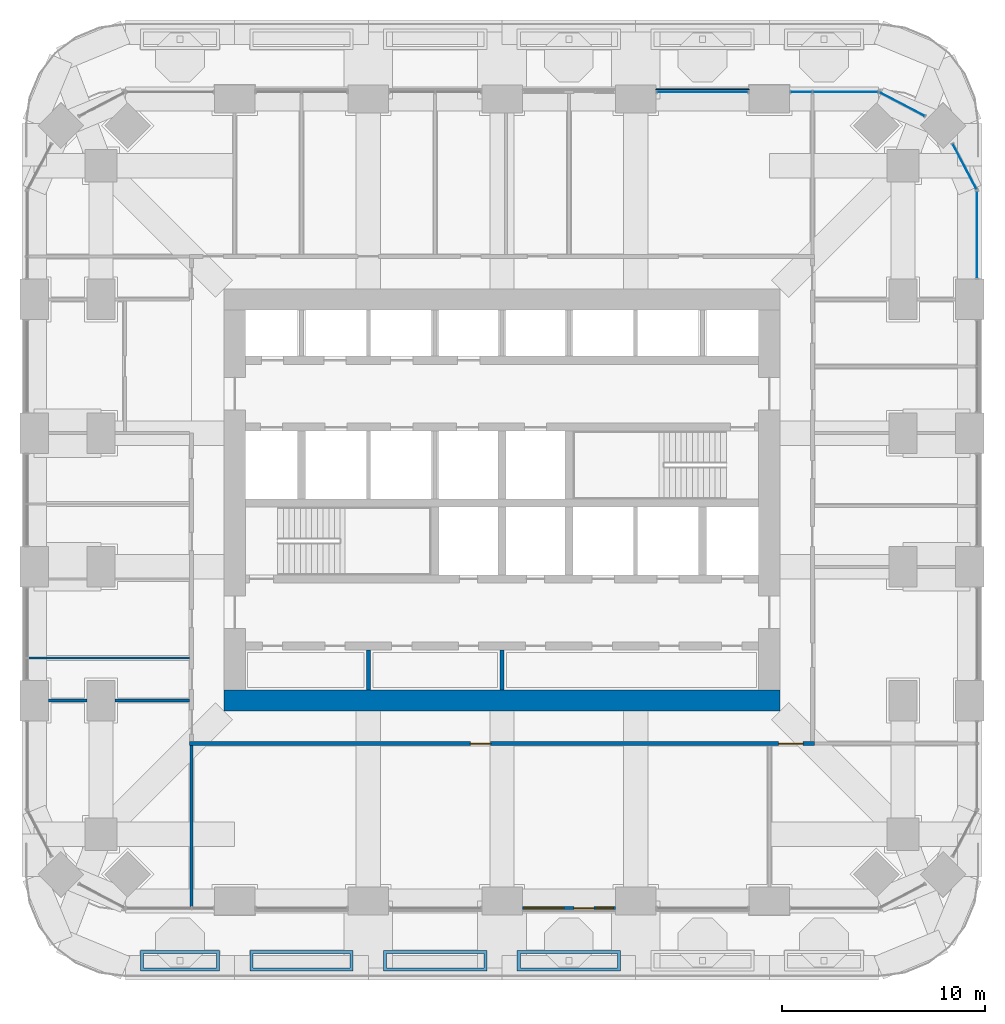
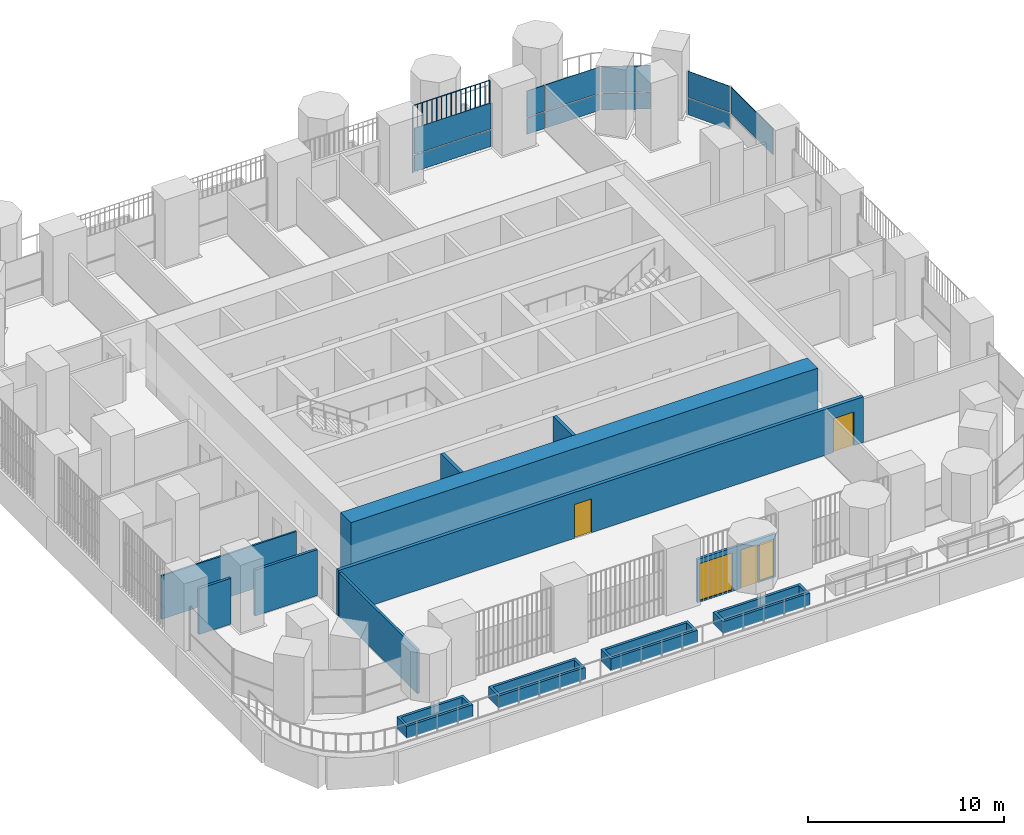
# One storey, part 13 of 22: 13 walls, 12 plates, 3 doors, 2 windows, 5 openings, 5 elements without a shape of their own.
"""IFC4 building model written with IfcOpenShell, lengths in metres."""

import ifcopenshell
import ifcopenshell.guid

model = None  # the IFC model being written
_history = None  # IfcOwnerHistory: only IFC2X3 demands one
_inside = {}  # id of a spatial element -> (the spatial element, [elements in it])
_under = {}  # id of a project, library or spatial element -> (it, [spatial elements below it])
_declared = {}  # id of a project -> (the project, [libraries it declares])
_typed = {}  # id of a type object -> (the type object, [elements of that type])
_made_of = {}  # id of a material, layer set ... -> (it, [elements and type objects made of it])


def new_model(schema):
    """Start an empty IFC model of exactly this schema.

    Asked for "IFC4X3", IfcOpenShell would pick the latest addendum, in which some entities
    have other attributes; the version numbers below select the first issue.
    IFC2X3 requires an IfcOwnerHistory on every rooted entity: one is made here for all.
    """
    global model, _history
    if schema == "IFC4X3":
        model = ifcopenshell.file(schema_version=(4, 3, 0, 0))
    else:
        model = ifcopenshell.file(schema=schema)
    _inside.clear()
    _under.clear()
    _declared.clear()
    _typed.clear()
    _made_of.clear()
    _history = None
    if model.schema == "IFC2X3":
        org = make("IfcOrganization", Name="unknown")
        user = make(
            "IfcPersonAndOrganization",
            ThePerson=make("IfcPerson", FamilyName="unknown"),
            TheOrganization=org,
        )
        app = make(
            "IfcApplication",
            ApplicationDeveloper=org,
            Version="unknown",
            ApplicationFullName="unknown",
            ApplicationIdentifier="unknown",
        )
        _history = make(
            "IfcOwnerHistory",
            OwningUser=user,
            OwningApplication=app,
            ChangeAction="ADDED",
            CreationDate=0,
        )
    return model


def make(cls, **values):
    """One entity of the class cls with the attributes given. An attribute that is None is left unset."""
    return model.create_entity(
        cls, **{name: value for name, value in values.items() if value is not None}
    )


def rooted(cls, **values):
    """An entity with a GlobalId (a new one), such as an element, a storey or a relation."""
    return make(cls, GlobalId=ifcopenshell.guid.new(), OwnerHistory=_history, **values)


def si_unit(unit_type, name, prefix=None):
    """IfcSIUnit, for example si_unit("LENGTHUNIT", "METRE", prefix="MILLI")."""
    return make("IfcSIUnit", UnitType=unit_type, Prefix=prefix, Name=name)


def assignment(units):
    """IfcUnitAssignment: the units of a project."""
    return None if units is None else make("IfcUnitAssignment", Units=units)


def point(xyz):
    """IfcCartesianPoint."""
    return None if xyz is None else make("IfcCartesianPoint", Coordinates=xyz)


def direction(xyz):
    """IfcDirection."""
    return None if xyz is None else make("IfcDirection", DirectionRatios=xyz)


def frame(location, z_axis=None, x_axis=None):
    """IfcAxis2Placement3D, a coordinate frame: its origin and axes. An axis left out is left unset."""
    return make(
        "IfcAxis2Placement3D",
        Location=point(location),
        Axis=direction(z_axis),
        RefDirection=direction(x_axis),
    )


def frame_2d(location, x_axis=None):
    """IfcAxis2Placement2D, a coordinate frame in the plane: its origin and x axis."""
    return make(
        "IfcAxis2Placement2D", Location=point(location), RefDirection=direction(x_axis)
    )


def origin():
    """The frame at (0, 0, 0) with its axes left unset."""
    return frame((0.0, 0.0, 0.0))


def origin_2d():
    """The frame at (0, 0) in the plane with its x axis left unset."""
    return frame_2d((0.0, 0.0))


def place(relative_to, where):
    """IfcLocalPlacement: puts the frame where relative to a parent placement (None: the world)."""
    return make(
        "IfcLocalPlacement", PlacementRelTo=relative_to, RelativePlacement=where
    )


def context(
    kind, dimensions, precision=None, world=None, true_north=None, identifier=None
):
    """IfcGeometricRepresentationContext, for example the 3D "Model" context."""
    return make(
        "IfcGeometricRepresentationContext",
        ContextIdentifier=identifier,
        ContextType=kind,
        CoordinateSpaceDimension=dimensions,
        Precision=precision,
        WorldCoordinateSystem=world,
        TrueNorth=true_north,
    )


def subcontext(parent, identifier, kind, view, scale=None):
    """IfcGeometricRepresentationSubContext, for example "Body" below "Model"."""
    return make(
        "IfcGeometricRepresentationSubContext",
        ContextIdentifier=identifier,
        ContextType=kind,
        ParentContext=parent,
        TargetScale=scale,
        TargetView=view,
    )


def project(units=None, contexts=None):
    """IfcProject with its units and contexts."""
    return rooted(
        "IfcProject",
        Name="project",
        RepresentationContexts=contexts,
        UnitsInContext=assignment(units),
    )


def spatial(cls, under=None, at=None, **own):
    """A site, building, storey or space (cls), placed at a placement, below another one or the project."""
    s = rooted(cls, ObjectPlacement=at, **own)
    if under is not None:
        _under.setdefault(under.id(), (under, []))[1].append(s)
    return s


def polyline(points):
    """IfcPolyline through the points."""
    return make("IfcPolyline", Points=[point(p) for p in points])


def profile(cls, at=None, kind="AREA", **sizes):
    """A parametric profile (cls). Its sizes go by their IFC names, for example OverallWidth=200.0."""
    return make(cls, ProfileType=kind, Position=at, **sizes)


def rectangle(**sizes):
    """IfcRectangleProfileDef."""
    return profile("IfcRectangleProfileDef", **sizes)


def outline(outer, holes=None, kind="AREA"):
    """IfcArbitraryClosedProfileDef: a profile drawn as a closed curve; with holes, ...WithVoids."""
    if holes is None:
        return make("IfcArbitraryClosedProfileDef", ProfileType=kind, OuterCurve=outer)
    return make(
        "IfcArbitraryProfileDefWithVoids",
        ProfileType=kind,
        OuterCurve=outer,
        InnerCurves=holes,
    )


def extrude(swept, where, along, depth):
    """IfcExtrudedAreaSolid: the profile swept, set in the frame where, extruded along a direction by depth."""
    return make(
        "IfcExtrudedAreaSolid",
        SweptArea=swept,
        Position=where,
        ExtrudedDirection=direction(along),
        Depth=depth,
    )


def shape(context_of_items, identifier, shape_type, items):
    """IfcShapeRepresentation: the items that make up one representation, for example the "Body"."""
    return make(
        "IfcShapeRepresentation",
        ContextOfItems=context_of_items,
        RepresentationIdentifier=identifier,
        RepresentationType=shape_type,
        Items=items,
    )


def material(Name=None, Category=None):
    """IfcMaterial."""
    return make("IfcMaterial", Name=Name, Category=Category)


def layer(
    of_material, thickness, ventilated=None, Name=None, Category=None, Priority=None
):
    """IfcMaterialLayer: one layer of a wall or slab, of a material (None: an air gap)."""
    return make(
        "IfcMaterialLayer",
        Material=of_material,
        LayerThickness=thickness,
        IsVentilated=ventilated,
        Name=Name,
        Category=Category,
        Priority=Priority,
    )


def layer_set(layers, Name=None):
    """IfcMaterialLayerSet."""
    return make("IfcMaterialLayerSet", MaterialLayers=layers, LayerSetName=Name)


def made_of(thing, what):
    """Note that an element or type object is made of a material, layer set ...; save() writes the relation."""
    if what is not None:
        _made_of.setdefault(what.id(), (what, []))[1].append(thing)
    return thing


def type_object(cls, material=None, **own):
    """A type object (cls), such as IfcWallType, which elements share."""
    return made_of(rooted(cls, **own), material)


def element(
    cls,
    number,
    at=None,
    inside=None,
    cuts=None,
    type_object=None,
    material=None,
    context=None,
    identifier="Body",
    shape_type=None,
    held_by="IfcProductDefinitionShape",
    body=None,
    shapes=None,
    **own,
):
    """One element of the class cls, such as IfcWall. Its Tag is "e" and its number.

    at: its placement. inside: the storey or other place that contains it. cuts: it is an
    opening in that element (IfcRelVoidsElement). A single representation is given by context,
    identifier, shape_type and body (its items); several are given by shapes. held_by: the class
    of the entity that holds the representations. save() writes the other relations.
    """
    e = rooted(cls, Tag="e%d" % number, ObjectPlacement=at, **own)
    if body is not None:
        shapes = [shape(context, identifier, shape_type, body)]
    if shapes is not None:
        e.Representation = make(held_by, Representations=shapes)
    if inside is not None:
        _inside.setdefault(inside.id(), (inside, []))[1].append(e)
    if cuts is not None:
        rooted(
            "IfcRelVoidsElement", RelatingBuildingElement=cuts, RelatedOpeningElement=e
        )
    if type_object is not None:
        _typed.setdefault(type_object.id(), (type_object, []))[1].append(e)
    return made_of(e, material)


def fill(opening, filler):
    """IfcRelFillsElement: the door or window that sits in an opening."""
    return rooted(
        "IfcRelFillsElement",
        RelatingOpeningElement=opening,
        RelatedBuildingElement=filler,
    )


def aggregate(whole, parts):
    """IfcRelAggregates: a whole, such as a stair, and the parts it consists of."""
    return rooted("IfcRelAggregates", RelatingObject=whole, RelatedObjects=parts)


def save(model, path):
    """Write the relations noted so far, then the file.

    IfcRelAggregates (storeys below a building ...), IfcRelContainedInSpatialStructure (elements
    in a storey), IfcRelDefinesByType, IfcRelAssociatesMaterial and IfcRelDeclares: one each for
    every whole, place, type object, material and project.
    """
    for whole, parts in _under.values():
        aggregate(whole, parts)
    for where, things in _inside.values():
        rooted(
            "IfcRelContainedInSpatialStructure",
            RelatedElements=things,
            RelatingStructure=where,
        )
    for kind, things in _typed.values():
        rooted("IfcRelDefinesByType", RelatedObjects=things, RelatingType=kind)
    for what, things in _made_of.values():
        rooted("IfcRelAssociatesMaterial", RelatedObjects=things, RelatingMaterial=what)
    for by, libraries in _declared.values():
        rooted("IfcRelDeclares", RelatingContext=by, RelatedDefinitions=libraries)
    model.write(path)


model = new_model("IFC4")

# Units and contexts
model_context = context("Model", 3, precision=1e-05, world=origin(), true_north=direction((0.0, 1.0)))
body_context = subcontext(model_context, "Body", "Model", "MODEL_VIEW")
ifc_project = project(units=[si_unit("LENGTHUNIT", "METRE"), si_unit("AREAUNIT", "SQUARE_METRE"), si_unit("VOLUMEUNIT", "CUBIC_METRE"), si_unit("PLANEANGLEUNIT", "RADIAN"), si_unit("MASSUNIT", "GRAM", prefix="KILO")], contexts=[model_context])

# Site, building, storey
site_placement = place(None, origin())
site = spatial("IfcSite", under=ifc_project, at=site_placement, CompositionType="ELEMENT")
building_placement = place(site_placement, origin())
building = spatial("IfcBuilding", under=site, at=building_placement, Name="Cobogo Forest Laboratory Tower", CompositionType="ELEMENT")
storey_placement = place(building_placement, frame((0.0, 0.0, 155.699951171875)))
storey = spatial("IfcBuildingStorey", under=building, at=storey_placement, Name="L35", CompositionType="ELEMENT", Elevation=155.699951171875)

# Curtain wall, plate
ifc_material_1 = material(Name="Aluminium curtain wall", Category="aluminium")
curtain_wall_type = type_object("IfcCurtainWallType", Name="CW-2 unitised curtain wall, solar control glazing, laboratory floors zones C and D", PredefinedType="USERDEFINED", material=ifc_material_1)
curtain_wall_1_placement = place(storey_placement, origin())
curtain_wall_1 = element("IfcCurtainWall", 1, at=curtain_wall_1_placement, inside=storey, type_object=curtain_wall_type, Name="Curtain wall 13 L35", ObjectType="UNITISED CURTAIN WALL", PredefinedType="USERDEFINED")
ifc_material_2 = material(Name="Solar control insulated glass", Category="glass")
ifc_layer_1 = layer(ifc_material_2, 0.031982421875)
ifc_layer_set_1 = layer_set([ifc_layer_1], Name="GP-2 solar control glass unit 32")
plate_type_1 = type_object("IfcPlateType", Name="GP-2 solar control glass unit 32", PredefinedType="CURTAIN_PANEL", material=ifc_layer_set_1)
plate_1_placement = place(storey_placement, frame((49.85009765625, 36.199951171875, 1.080078125), z_axis=(0.0, 0.0, 1.0), x_axis=(0.0, 1.0, 0.0)))
plate_1 = element("IfcPlate", 2, at=plate_1_placement, type_object=plate_type_1, Name="CW-2 panel 1.2", PredefinedType="CURTAIN_PANEL", context=body_context, shape_type="SweptSolid", body=[
    extrude(rectangle(XDim=4.280029296875, YDim=0.031982421875, at=origin_2d()), origin(), (0.0, 0.0, 1.0), 1.6201171875),
])
aggregate(curtain_wall_1, [plate_1])

# Curtain wall, plates
curtain_wall_2_placement = place(storey_placement, origin())
curtain_wall_2 = element("IfcCurtainWall", 3, at=curtain_wall_2_placement, inside=storey, type_object=curtain_wall_type, Name="Curtain wall 14 L35", ObjectType="UNITISED CURTAIN WALL", PredefinedType="USERDEFINED")
plate_2_placement = place(storey_placement, frame((49.2421875, 39.5595703125, 0.0), z_axis=(0.0, 0.0, 1.0), x_axis=(-0.464283723321, 0.885686527085, 0.0)))
plate_2 = element("IfcPlate", 4, at=plate_2_placement, type_object=plate_type_1, Name="CW-2 panel 1.1", PredefinedType="CURTAIN_PANEL", context=body_context, shape_type="SweptSolid", body=[
    extrude(rectangle(XDim=2.49853515625, YDim=0.031982421875, at=origin_2d()), origin(), (0.0, 0.0, 1.0), 1.02001953125),
])
plate_3_placement = place(storey_placement, frame((49.2421875, 39.5595703125, 1.080078125), z_axis=(0.0, 0.0, 1.0), x_axis=(-0.464283723321, 0.885686527085, 0.0)))
plate_3 = element("IfcPlate", 5, at=plate_3_placement, type_object=plate_type_1, Name="CW-2 panel 1.2", PredefinedType="CURTAIN_PANEL", context=body_context, shape_type="SweptSolid", body=[
    extrude(rectangle(XDim=2.49853515625, YDim=0.031982421875, at=origin_2d()), origin(), (0.0, 0.0, 1.0), 1.6201171875),
])
aggregate(curtain_wall_2, [plate_2, plate_3])

curtain_wall_3_placement = place(storey_placement, origin())
curtain_wall_3 = element("IfcCurtainWall", 6, at=curtain_wall_3_placement, inside=storey, type_object=curtain_wall_type, Name="Curtain wall 15 L35", ObjectType="UNITISED CURTAIN WALL", PredefinedType="USERDEFINED")
plate_4_placement = place(storey_placement, frame((46.15966796875, 42.64208984375, 0.0), z_axis=(0.0, 0.0, 1.0), x_axis=(-0.885686527085, 0.464283723321, 0.0)))
plate_4 = element("IfcPlate", 7, at=plate_4_placement, type_object=plate_type_1, Name="CW-2 panel 1.1", PredefinedType="CURTAIN_PANEL", context=body_context, shape_type="SweptSolid", body=[
    extrude(rectangle(XDim=2.49853515625, YDim=0.031982421875, at=origin_2d()), origin(), (0.0, 0.0, 1.0), 1.02001953125),
])
plate_5_placement = place(storey_placement, frame((46.15966796875, 42.64208984375, 1.080078125), z_axis=(0.0, 0.0, 1.0), x_axis=(-0.885686527085, 0.464283723321, 0.0)))
plate_5 = element("IfcPlate", 8, at=plate_5_placement, type_object=plate_type_1, Name="CW-2 panel 1.2", PredefinedType="CURTAIN_PANEL", context=body_context, shape_type="SweptSolid", body=[
    extrude(rectangle(XDim=2.49853515625, YDim=0.031982421875, at=origin_2d()), origin(), (0.0, 0.0, 1.0), 1.6201171875),
])
aggregate(curtain_wall_3, [plate_4, plate_5])

curtain_wall_4_placement = place(storey_placement, origin())
curtain_wall_4 = element("IfcCurtainWall", 9, at=curtain_wall_4_placement, inside=storey, type_object=curtain_wall_type, Name="Curtain wall 16 L35", ObjectType="UNITISED CURTAIN WALL", PredefinedType="USERDEFINED")
plate_6_placement = place(storey_placement, frame((43.347412109375, 43.25, 0.0), z_axis=(0.0, 0.0, 1.0), x_axis=(-1.0, 0.0, 0.0)))
plate_6 = element("IfcPlate", 10, at=plate_6_placement, type_object=plate_type_1, Name="CW-2 panel 1.1", PredefinedType="CURTAIN_PANEL", context=body_context, shape_type="SweptSolid", body=[
    extrude(rectangle(XDim=3.18505859375, YDim=0.031982421875, at=origin_2d()), origin(), (0.0, 0.0, 1.0), 1.02001953125),
])
plate_7_placement = place(storey_placement, frame((43.347412109375, 43.25, 1.080078125), z_axis=(0.0, 0.0, 1.0), x_axis=(-1.0, 0.0, 0.0)))
plate_7 = element("IfcPlate", 11, at=plate_7_placement, type_object=plate_type_1, Name="CW-2 panel 1.2", PredefinedType="CURTAIN_PANEL", context=body_context, shape_type="SweptSolid", body=[
    extrude(rectangle(XDim=3.18505859375, YDim=0.031982421875, at=origin_2d()), origin(), (0.0, 0.0, 1.0), 1.6201171875),
])
plate_8_placement = place(storey_placement, frame((41.177490234375, 43.25, 0.0), z_axis=(0.0, 0.0, 1.0), x_axis=(-1.0, 0.0, 0.0)))
plate_8 = element("IfcPlate", 12, at=plate_8_placement, type_object=plate_type_1, Name="CW-2 panel 2.1", PredefinedType="CURTAIN_PANEL", context=body_context, shape_type="SweptSolid", body=[
    extrude(rectangle(XDim=1.034912109375, YDim=0.031982421875, at=origin_2d()), origin(), (0.0, 0.0, 1.0), 1.02001953125),
])
plate_9_placement = place(storey_placement, frame((41.177490234375, 43.25, 1.080078125), z_axis=(0.0, 0.0, 1.0), x_axis=(-1.0, 0.0, 0.0)))
plate_9 = element("IfcPlate", 13, at=plate_9_placement, type_object=plate_type_1, Name="CW-2 panel 2.2", PredefinedType="CURTAIN_PANEL", context=body_context, shape_type="SweptSolid", body=[
    extrude(rectangle(XDim=1.034912109375, YDim=0.031982421875, at=origin_2d()), origin(), (0.0, 0.0, 1.0), 1.6201171875),
])
aggregate(curtain_wall_4, [plate_6, plate_7, plate_8, plate_9])

curtain_wall_5_placement = place(storey_placement, origin())
curtain_wall_5 = element("IfcCurtainWall", 14, at=curtain_wall_5_placement, inside=storey, type_object=curtain_wall_type, Name="Curtain wall 17 L35", ObjectType="UNITISED CURTAIN WALL", PredefinedType="USERDEFINED")
plate_10_placement = place(storey_placement, frame((36.300048828125, 43.25, 0.0), z_axis=(0.0, 0.0, 1.0), x_axis=(-1.0, 0.0, 0.0)))
plate_10 = element("IfcPlate", 15, at=plate_10_placement, type_object=plate_type_1, Name="CW-2 panel 1.1", PredefinedType="CURTAIN_PANEL", context=body_context, shape_type="SweptSolid", body=[
    extrude(rectangle(XDim=4.47998046875, YDim=0.031982421875, at=origin_2d()), origin(), (0.0, 0.0, 1.0), 1.02001953125),
])
plate_11_placement = place(storey_placement, frame((36.300048828125, 43.25, 1.080078125), z_axis=(0.0, 0.0, 1.0), x_axis=(-1.0, 0.0, 0.0)))
plate_11 = element("IfcPlate", 16, at=plate_11_placement, type_object=plate_type_1, Name="CW-2 panel 1.2", PredefinedType="CURTAIN_PANEL", context=body_context, shape_type="SweptSolid", body=[
    extrude(rectangle(XDim=4.47998046875, YDim=0.031982421875, at=origin_2d()), origin(), (0.0, 0.0, 1.0), 1.6201171875),
])
aggregate(curtain_wall_5, [plate_10, plate_11])

# Plate
ifc_material_3 = material(Name="Terracotta", Category="masonry")
plate_type_2 = type_object("IfcPlateType", Name="TB1 terracotta baguette screen", PredefinedType="USERDEFINED", material=ifc_material_3)
plate_12_placement = place(storey_placement, frame((34.03125, 43.3779296875, -0.14990234375)))
element("IfcPlate", 17, at=plate_12_placement, inside=storey, type_object=plate_type_2, Name="Baguette screen N4 L35", ObjectType="BAGUETTE SCREEN", PredefinedType="USERDEFINED", context=body_context, shape_type="SweptSolid", body=[
    extrude(outline(polyline([(0.02880859375, 0.011962890625), (0.011962890625, 0.02880859375), (-0.011962890625, 0.02880859375), (-0.02880859375, 0.011962890625), (-0.02880859375, -0.011962890625), (-0.011962890625, -0.02880859375), (0.011962890625, -0.02880859375), (0.02880859375, -0.011962890625), (0.02880859375, 0.011962890625)])), frame((0.0, 0.0, 4.168701171875), z_axis=(1.0, 0.0, 0.0), x_axis=(0.0, 1.0, 0.0)), (0.0, 0.0, 1.0), 4.53759765625),
    extrude(outline(polyline([(0.02880859375, 0.011962890625), (0.011962890625, 0.02880859375), (-0.011962890625, 0.02880859375), (-0.02880859375, 0.011962890625), (-0.02880859375, -0.011962890625), (-0.011962890625, -0.02880859375), (0.011962890625, -0.02880859375), (0.02880859375, -0.011962890625), (0.02880859375, 0.011962890625)])), origin(), (0.0, 0.0, 1.0), 4.137451171875),
    extrude(outline(polyline([(0.02880859375, 0.011962890625), (0.011962890625, 0.02880859375), (-0.011962890625, 0.02880859375), (-0.02880859375, 0.011962890625), (-0.02880859375, -0.011962890625), (-0.011962890625, -0.02880859375), (0.011962890625, -0.02880859375), (0.02880859375, -0.011962890625), (0.02880859375, 0.011962890625)])), frame((0.28369140625, 0.0, 0.0)), (0.0, 0.0, 1.0), 4.137451171875),
    extrude(outline(polyline([(0.02880859375, 0.011962890625), (0.011962890625, 0.02880859375), (-0.011962890625, 0.02880859375), (-0.02880859375, 0.011962890625), (-0.02880859375, -0.011962890625), (-0.011962890625, -0.02880859375), (0.011962890625, -0.02880859375), (0.02880859375, -0.011962890625), (0.02880859375, 0.011962890625)])), frame((0.567138671875, 0.0, 0.0)), (0.0, 0.0, 1.0), 4.137451171875),
    extrude(outline(polyline([(0.02880859375, 0.011962890625), (0.011962890625, 0.02880859375), (-0.011962890625, 0.02880859375), (-0.02880859375, 0.011962890625), (-0.02880859375, -0.011962890625), (-0.011962890625, -0.02880859375), (0.011962890625, -0.02880859375), (0.02880859375, -0.011962890625), (0.02880859375, 0.011962890625)])), frame((0.850830078125, 0.0, 0.0)), (0.0, 0.0, 1.0), 4.137451171875),
    extrude(outline(polyline([(0.02880859375, 0.011962890625), (0.011962890625, 0.02880859375), (-0.011962890625, 0.02880859375), (-0.02880859375, 0.011962890625), (-0.02880859375, -0.011962890625), (-0.011962890625, -0.02880859375), (0.011962890625, -0.02880859375), (0.02880859375, -0.011962890625), (0.02880859375, 0.011962890625)])), frame((1.13427734375, 0.0, 0.0)), (0.0, 0.0, 1.0), 4.137451171875),
    extrude(outline(polyline([(0.02880859375, 0.011962890625), (0.011962890625, 0.02880859375), (-0.011962890625, 0.02880859375), (-0.02880859375, 0.011962890625), (-0.02880859375, -0.011962890625), (-0.011962890625, -0.02880859375), (0.011962890625, -0.02880859375), (0.02880859375, -0.011962890625), (0.02880859375, 0.011962890625)])), frame((1.41796875, 0.0, 0.0)), (0.0, 0.0, 1.0), 4.137451171875),
    extrude(outline(polyline([(0.02880859375, 0.011962890625), (0.011962890625, 0.02880859375), (-0.011962890625, 0.02880859375), (-0.02880859375, 0.011962890625), (-0.02880859375, -0.011962890625), (-0.011962890625, -0.02880859375), (0.011962890625, -0.02880859375), (0.02880859375, -0.011962890625), (0.02880859375, 0.011962890625)])), frame((1.70166015625, 0.0, 0.0)), (0.0, 0.0, 1.0), 4.137451171875),
    extrude(outline(polyline([(0.02880859375, 0.011962890625), (0.011962890625, 0.02880859375), (-0.011962890625, 0.02880859375), (-0.02880859375, 0.011962890625), (-0.02880859375, -0.011962890625), (-0.011962890625, -0.02880859375), (0.011962890625, -0.02880859375), (0.02880859375, -0.011962890625), (0.02880859375, 0.011962890625)])), frame((1.985107421875, 0.0, 0.0)), (0.0, 0.0, 1.0), 4.137451171875),
    extrude(outline(polyline([(0.02880859375, 0.011962890625), (0.011962890625, 0.02880859375), (-0.011962890625, 0.02880859375), (-0.02880859375, 0.011962890625), (-0.02880859375, -0.011962890625), (-0.011962890625, -0.02880859375), (0.011962890625, -0.02880859375), (0.02880859375, -0.011962890625), (0.02880859375, 0.011962890625)])), frame((2.268798828125, 0.0, 0.0)), (0.0, 0.0, 1.0), 4.137451171875),
    extrude(outline(polyline([(0.02880859375, 0.011962890625), (0.011962890625, 0.02880859375), (-0.011962890625, 0.02880859375), (-0.02880859375, 0.011962890625), (-0.02880859375, -0.011962890625), (-0.011962890625, -0.02880859375), (0.011962890625, -0.02880859375), (0.02880859375, -0.011962890625), (0.02880859375, 0.011962890625)])), frame((2.552490234375, 0.0, 0.0)), (0.0, 0.0, 1.0), 4.137451171875),
    extrude(outline(polyline([(0.02880859375, 0.011962890625), (0.011962890625, 0.02880859375), (-0.011962890625, 0.02880859375), (-0.02880859375, 0.011962890625), (-0.02880859375, -0.011962890625), (-0.011962890625, -0.02880859375), (0.011962890625, -0.02880859375), (0.02880859375, -0.011962890625), (0.02880859375, 0.011962890625)])), frame((2.8359375, 0.0, 0.0)), (0.0, 0.0, 1.0), 4.137451171875),
    extrude(outline(polyline([(0.02880859375, 0.011962890625), (0.011962890625, 0.02880859375), (-0.011962890625, 0.02880859375), (-0.02880859375, 0.011962890625), (-0.02880859375, -0.011962890625), (-0.011962890625, -0.02880859375), (0.011962890625, -0.02880859375), (0.02880859375, -0.011962890625), (0.02880859375, 0.011962890625)])), frame((3.11962890625, 0.0, 0.0)), (0.0, 0.0, 1.0), 4.137451171875),
    extrude(outline(polyline([(0.02880859375, 0.011962890625), (0.011962890625, 0.02880859375), (-0.011962890625, 0.02880859375), (-0.02880859375, 0.011962890625), (-0.02880859375, -0.011962890625), (-0.011962890625, -0.02880859375), (0.011962890625, -0.02880859375), (0.02880859375, -0.011962890625), (0.02880859375, 0.011962890625)])), frame((3.4033203125, 0.0, 0.0)), (0.0, 0.0, 1.0), 4.137451171875),
    extrude(outline(polyline([(0.02880859375, 0.011962890625), (0.011962890625, 0.02880859375), (-0.011962890625, 0.02880859375), (-0.02880859375, 0.011962890625), (-0.02880859375, -0.011962890625), (-0.011962890625, -0.02880859375), (0.011962890625, -0.02880859375), (0.02880859375, -0.011962890625), (0.02880859375, 0.011962890625)])), frame((3.686767578125, 0.0, 0.0)), (0.0, 0.0, 1.0), 4.137451171875),
    extrude(outline(polyline([(0.02880859375, 0.011962890625), (0.011962890625, 0.02880859375), (-0.011962890625, 0.02880859375), (-0.02880859375, 0.011962890625), (-0.02880859375, -0.011962890625), (-0.011962890625, -0.02880859375), (0.011962890625, -0.02880859375), (0.02880859375, -0.011962890625), (0.02880859375, 0.011962890625)])), frame((3.970458984375, 0.0, 0.0)), (0.0, 0.0, 1.0), 4.137451171875),
    extrude(outline(polyline([(0.02880859375, 0.011962890625), (0.011962890625, 0.02880859375), (-0.011962890625, 0.02880859375), (-0.02880859375, 0.011962890625), (-0.02880859375, -0.011962890625), (-0.011962890625, -0.02880859375), (0.011962890625, -0.02880859375), (0.02880859375, -0.011962890625), (0.02880859375, 0.011962890625)])), frame((4.25390625, 0.0, 0.0)), (0.0, 0.0, 1.0), 4.137451171875),
    extrude(outline(polyline([(0.02880859375, 0.011962890625), (0.011962890625, 0.02880859375), (-0.011962890625, 0.02880859375), (-0.02880859375, 0.011962890625), (-0.02880859375, -0.011962890625), (-0.011962890625, -0.02880859375), (0.011962890625, -0.02880859375), (0.02880859375, -0.011962890625), (0.02880859375, 0.011962890625)])), frame((4.53759765625, 0.0, 0.0)), (0.0, 0.0, 1.0), 4.137451171875),
])

# Wall
ifc_material_4 = material(Name="Concrete HA-50 (C50/60)", Category="concrete")
ifc_layer_2 = layer(ifc_material_4, 1.050048828125)
ifc_layer_set_2 = layer_set([ifc_layer_2], Name="CW1050 core outer wall 1050")
wall_type_1 = type_object("IfcWallType", Name="CW1050 core outer wall 1050", PredefinedType="SHEAR", material=ifc_layer_set_2)
wall_1_placement = place(storey_placement, frame((12.675048828125, 13.199951171875, 0.0), z_axis=(0.0, 0.0, 1.0), x_axis=(1.0, 0.0, 0.0)))
element("IfcWall", 18, at=wall_1_placement, inside=storey, type_object=wall_type_1, Name="Core wall CO-S L35", PredefinedType="SHEAR", context=body_context, shape_type="SweptSolid", body=[
    extrude(rectangle(XDim=27.449951171875, YDim=1.050048828125, at=frame_2d((13.72509765625, 0.0))), origin(), (0.0, 0.0, 1.0), 4.199951171875),
])

# Wall, openings, door, windows
ifc_material_5 = material(Name="Aluminium framed glazed screen", Category="aluminium")
ifc_layer_3 = layer(ifc_material_5, 0.14990234375)
ifc_layer_set_3 = layer_set([ifc_layer_3], Name="GS1 glazed door screen 150")
wall_type_2 = type_object("IfcWallType", Name="GS1 glazed door screen 150", PredefinedType="SOLIDWALL", material=ifc_layer_set_3)
wall_2_placement = place(storey_placement, frame((27.39990234375, 2.949951171875, 0.0), z_axis=(0.0, 0.0, 1.0), x_axis=(1.0, 0.0, 0.0)))
wall_2 = element("IfcWall", 19, at=wall_2_placement, inside=storey, type_object=wall_type_2, Name="Door screen TER-S L35", PredefinedType="SOLIDWALL", context=body_context, shape_type="SweptSolid", body=[
    extrude(rectangle(XDim=4.60009765625, YDim=0.14990234375, at=frame_2d((2.300048828125, 0.0))), origin(), (0.0, 0.0, 1.0), 2.699951171875),
])
opening_1_placement = place(wall_2_placement, frame((2.550048828125, 0.0, 0.0)))
opening_1 = element("IfcOpeningElement", 20, at=opening_1_placement, cuts=wall_2, Name="Opening L35-D01", PredefinedType="OPENING", context=body_context, shape_type="SweptSolid", body=[
    extrude(rectangle(XDim=1.0, YDim=2.39990234375, at=frame_2d((0.5, 1.199951171875))), frame((0.0, 0.0849609375, 0.0), z_axis=(0.0, -1.0, 0.0), x_axis=(1.0, 0.0, 0.0)), (0.0, 0.0, 1.0), 0.169921875),
])
opening_2_placement = place(wall_2_placement, frame((0.10009765625, 0.0, 0.10009765625)))
opening_2 = element("IfcOpeningElement", 21, at=opening_2_placement, cuts=wall_2, Name="Opening L35-W01", PredefinedType="OPENING", context=body_context, shape_type="SweptSolid", body=[
    extrude(rectangle(XDim=1.949951171875, YDim=2.300048828125, at=frame_2d((0.97509765625, 1.14990234375))), frame((0.0, 0.0849609375, 0.0), z_axis=(0.0, -1.0, 0.0), x_axis=(1.0, 0.0, 0.0)), (0.0, 0.0, 1.0), 0.169921875),
])
opening_3_placement = place(wall_2_placement, frame((3.64990234375, 0.0, 0.10009765625)))
opening_3 = element("IfcOpeningElement", 22, at=opening_3_placement, cuts=wall_2, Name="Opening L35-W02", PredefinedType="OPENING", context=body_context, shape_type="SweptSolid", body=[
    extrude(rectangle(XDim=0.85009765625, YDim=2.300048828125, at=frame_2d((0.425048828125, 1.14990234375))), frame((0.0, 0.0849609375, 0.0), z_axis=(0.0, -1.0, 0.0), x_axis=(1.0, 0.0, 0.0)), (0.0, 0.0, 1.0), 0.169921875),
])
ifc_material_6 = material(Name="Aluminium glazed door", Category="aluminium")
door_type_1 = type_object("IfcDoorType", Name="DT1 terrace door 1000 glazed", OperationType="SINGLE_SWING_RIGHT", PredefinedType="DOOR", material=ifc_material_6)
door_1_placement = place(opening_1_placement, origin())
door_1 = element("IfcDoor", 23, at=door_1_placement, inside=storey, type_object=door_type_1, Name="Door L35-TER-S", OperationType="SINGLE_SWING_RIGHT", OverallHeight=2.39990234375, OverallWidth=1.0, PredefinedType="DOOR", context=body_context, shape_type="SweptSolid", body=[
    extrude(rectangle(XDim=1.0, YDim=2.39990234375, at=frame_2d((0.5, 1.199951171875))), frame((0.0, 0.02490234375, 0.0), z_axis=(0.0, -1.0, 0.0), x_axis=(1.0, 0.0, 0.0)), (0.0, 0.0, 1.0), 0.050048828125),
])
fill(opening_1, door_1)
ifc_material_7 = material(Name="Aluminium framed glazing", Category="aluminium")
window_type_1 = type_object("IfcWindowType", Name="WG1 fixed glazed light 1950x2300", PartitioningType="SINGLE_PANEL", PredefinedType="WINDOW", material=ifc_material_7)
window_1_placement = place(opening_2_placement, origin())
window_1 = element("IfcWindow", 24, at=window_1_placement, inside=storey, type_object=window_type_1, Name="Window L35-TER-S-1", OverallHeight=2.300048828125, OverallWidth=1.949951171875, PartitioningType="SINGLE_PANEL", PredefinedType="WINDOW", context=body_context, shape_type="SweptSolid", body=[
    extrude(rectangle(XDim=1.949951171875, YDim=2.300048828125, at=frame_2d((0.97509765625, 1.14990234375))), frame((0.0, 0.030029296875, 0.0), z_axis=(0.0, -1.0, 0.0), x_axis=(1.0, 0.0, 0.0)), (0.0, 0.0, 1.0), 0.06005859375),
])
fill(opening_2, window_1)
window_type_2 = type_object("IfcWindowType", Name="WG2 fixed glazed light 850x2300", PartitioningType="SINGLE_PANEL", PredefinedType="WINDOW", material=ifc_material_7)
window_2_placement = place(opening_3_placement, origin())
window_2 = element("IfcWindow", 25, at=window_2_placement, inside=storey, type_object=window_type_2, Name="Window L35-TER-S-2", OverallHeight=2.300048828125, OverallWidth=0.85009765625, PartitioningType="SINGLE_PANEL", PredefinedType="WINDOW", context=body_context, shape_type="SweptSolid", body=[
    extrude(rectangle(XDim=0.85009765625, YDim=2.300048828125, at=frame_2d((0.425048828125, 1.14990234375))), frame((0.0, 0.030029296875, 0.0), z_axis=(0.0, -1.0, 0.0), x_axis=(1.0, 0.0, 0.0)), (0.0, 0.0, 1.0), 0.06005859375),
])
fill(opening_3, window_2)

# Walls
ifc_material_8 = material(Name="Gypsum board on steel studs", Category="steel")
ifc_layer_4 = layer(ifc_material_8, 0.14990234375)
ifc_layer_set_4 = layer_set([ifc_layer_4], Name="PT1 laboratory partition 150")
wall_type_3 = type_object("IfcWallType", Name="PT1 laboratory partition 150", PredefinedType="PARTITIONING", material=ifc_layer_set_4)
wall_3_placement = place(storey_placement, frame((11.074951171875, 3.030029296875, 0.0), z_axis=(0.0, 0.0, 1.0), x_axis=(0.0, 1.0, 0.0)))
element("IfcWall", 26, at=wall_3_placement, inside=storey, type_object=wall_type_3, Name="Partition PW-SW L35", PredefinedType="PARTITIONING", context=body_context, shape_type="SweptSolid", body=[
    extrude(rectangle(XDim=7.945068359375, YDim=0.14990234375, at=frame_2d((3.97265625, 0.0))), origin(), (0.0, 0.0, 1.0), 2.699951171875),
])
wall_4_placement = place(storey_placement, frame((4.0, 13.199951171875, 0.0), z_axis=(0.0, 0.0, 1.0), x_axis=(1.0, 0.0, 0.0)))
element("IfcWall", 27, at=wall_4_placement, inside=storey, type_object=wall_type_3, Name="Partition CUT-W13.2-1 L35", PredefinedType="PARTITIONING", context=body_context, shape_type="SweptSolid", body=[
    extrude(rectangle(XDim=1.89990234375, YDim=0.14990234375, at=frame_2d((0.949951171875, 0.0))), origin(), (0.0, 0.0, 1.0), 2.85009765625),
])
wall_5_placement = place(storey_placement, frame((7.300048828125, 13.199951171875, 0.0), z_axis=(0.0, 0.0, 1.0), x_axis=(1.0, 0.0, 0.0)))
element("IfcWall", 28, at=wall_5_placement, inside=storey, type_object=wall_type_3, Name="Partition CUT-W13.2-2 L35", PredefinedType="PARTITIONING", context=body_context, shape_type="SweptSolid", body=[
    extrude(rectangle(XDim=3.675048828125, YDim=0.14990234375, at=frame_2d((1.83740234375, 0.0))), origin(), (0.0, 0.0, 1.0), 2.85009765625),
])

# Wall, openings, doors
ifc_layer_5 = layer(ifc_material_8, 0.199951171875)
ifc_layer_set_5 = layer_set([ifc_layer_5], Name="PT2 fire-rated corridor partition 200")
wall_type_4 = type_object("IfcWallType", Name="PT2 fire-rated corridor partition 200", PredefinedType="PARTITIONING", material=ifc_layer_set_5)
wall_6_placement = place(storey_placement, frame((10.97509765625, 11.074951171875, 0.0), z_axis=(0.0, 0.0, 1.0), x_axis=(1.0, 0.0, 0.0)))
wall_6 = element("IfcWall", 29, at=wall_6_placement, inside=storey, type_object=wall_type_4, Name="Partition CORR-S L35", PredefinedType="PARTITIONING", context=body_context, shape_type="SweptSolid", body=[
    extrude(rectangle(XDim=30.849853515625, YDim=0.199951171875, at=frame_2d((15.4248046875, 0.0))), origin(), (0.0, 0.0, 1.0), 2.85009765625),
])
opening_4_placement = place(wall_6_placement, frame((13.862548828125, 0.0, 0.0)))
opening_4 = element("IfcOpeningElement", 30, at=opening_4_placement, cuts=wall_6, Name="Opening L35-D02", PredefinedType="OPENING", context=body_context, shape_type="SweptSolid", body=[
    extrude(rectangle(XDim=1.0, YDim=2.10009765625, at=frame_2d((0.5, 1.050048828125))), frame((0.0, 0.10986328125, 0.0), z_axis=(0.0, -1.0, 0.0), x_axis=(1.0, 0.0, 0.0)), (0.0, 0.0, 1.0), 0.219970703125),
])
opening_5_placement = place(wall_6_placement, frame((29.08740234375, 0.0, 0.0)))
opening_5 = element("IfcOpeningElement", 31, at=opening_5_placement, cuts=wall_6, Name="Opening L35-D03", PredefinedType="OPENING", context=body_context, shape_type="SweptSolid", body=[
    extrude(rectangle(XDim=1.199951171875, YDim=2.10009765625, at=frame_2d((0.60009765625, 1.050048828125))), frame((0.0, 0.10986328125, 0.0), z_axis=(0.0, -1.0, 0.0), x_axis=(1.0, 0.0, 0.0)), (0.0, 0.0, 1.0), 0.219970703125),
])
ifc_material_9 = material(Name="Timber door", Category="wood")
door_type_2 = type_object("IfcDoorType", Name="D2 laboratory door 1200 unequal pair", OperationType="DOUBLE_DOOR_SINGLE_SWING", PredefinedType="DOOR", material=ifc_material_9)
door_2_placement = place(opening_5_placement, origin())
door_2 = element("IfcDoor", 32, at=door_2_placement, inside=storey, type_object=door_type_2, Name="Door L35-S2", OperationType="DOUBLE_DOOR_SINGLE_SWING", OverallHeight=2.10009765625, OverallWidth=1.199951171875, PredefinedType="DOOR", context=body_context, shape_type="SweptSolid", body=[
    extrude(rectangle(XDim=1.199951171875, YDim=2.10009765625, at=frame_2d((0.60009765625, 1.050048828125))), frame((0.0, 0.02490234375, 0.0), z_axis=(0.0, -1.0, 0.0), x_axis=(1.0, 0.0, 0.0)), (0.0, 0.0, 1.0), 0.050048828125),
])
fill(opening_5, door_2)
ifc_material_10 = material(Name="Timber fire door", Category="wood")
door_type_3 = type_object("IfcDoorType", Name="FD2 fire door 1000 EI2 30", OperationType="SINGLE_SWING_LEFT", PredefinedType="DOOR", material=ifc_material_10)
door_3_placement = place(opening_4_placement, origin())
door_3 = element("IfcDoor", 33, at=door_3_placement, inside=storey, type_object=door_type_3, Name="Door L35-S1", OperationType="SINGLE_SWING_LEFT", OverallHeight=2.10009765625, OverallWidth=1.0, PredefinedType="DOOR", context=body_context, shape_type="SweptSolid", body=[
    extrude(rectangle(XDim=1.0, YDim=2.10009765625, at=frame_2d((0.5, 1.050048828125))), frame((0.0, 0.02490234375, 0.0), z_axis=(0.0, -1.0, 0.0), x_axis=(1.0, 0.0, 0.0)), (0.0, 0.0, 1.0), 0.050048828125),
])
fill(opening_4, door_3)

# Walls
ifc_layer_6 = layer(ifc_material_8, 0.10009765625)
ifc_layer_set_6 = layer_set([ifc_layer_6], Name="PT3 toilet partition 100")
wall_type_5 = type_object("IfcWallType", Name="PT3 toilet partition 100", PredefinedType="PARTITIONING", material=ifc_layer_set_6)
wall_7_placement = place(storey_placement, frame((3.030029296875, 15.300048828125, 0.0), z_axis=(0.0, 0.0, 1.0), x_axis=(1.0, 0.0, 0.0)))
element("IfcWall", 34, at=wall_7_placement, inside=storey, type_object=wall_type_5, Name="Partition SVC-W1-1 L35", PredefinedType="PARTITIONING", context=body_context, shape_type="SweptSolid", body=[
    extrude(rectangle(XDim=7.945068359375, YDim=0.10009765625, at=frame_2d((3.97265625, 0.0))), origin(), (0.0, 0.0, 1.0), 2.699951171875),
])
ifc_material_11 = material(Name="Concrete HA-40 (C40/50)", Category="concrete")
ifc_layer_7 = layer(ifc_material_11, 0.14990234375)
ifc_layer_set_7 = layer_set([ifc_layer_7], Name="Planter box 1000x750")
wall_type_6 = type_object("IfcWallType", Name="Planter box 1000x750", PredefinedType="USERDEFINED", material=ifc_layer_set_7)
wall_8_placement = place(storey_placement, origin())
element("IfcWall", 35, at=wall_8_placement, inside=storey, type_object=wall_type_6, Name="Terrace planter TER-S-1 L35", ObjectType="PLANTER", PredefinedType="USERDEFINED", context=body_context, shape_type="SweptSolid", body=[
    extrude(outline(polyline([(8.550048828125, -0.14990234375), (12.449951171875, -0.14990234375), (12.449951171875, 0.85009765625), (8.550048828125, 0.85009765625), (8.550048828125, -0.14990234375)]), holes=[polyline([(8.699951171875, 0.0), (12.300048828125, 0.0), (12.300048828125, 0.699951171875), (8.699951171875, 0.699951171875), (8.699951171875, 0.0)])]), origin(), (0.0, 0.0, 1.0), 0.75),
])
wall_9_placement = place(storey_placement, origin())
element("IfcWall", 36, at=wall_9_placement, inside=storey, type_object=wall_type_6, Name="Terrace planter TER-S-2 L35", ObjectType="PLANTER", PredefinedType="USERDEFINED", context=body_context, shape_type="SweptSolid", body=[
    extrude(outline(polyline([(13.949951171875, -0.14990234375), (19.050048828125, -0.14990234375), (19.050048828125, 0.85009765625), (13.949951171875, 0.85009765625), (13.949951171875, -0.14990234375)]), holes=[polyline([(14.10009765625, 0.0), (18.89990234375, 0.0), (18.89990234375, 0.699951171875), (14.10009765625, 0.699951171875), (14.10009765625, 0.0)])]), origin(), (0.0, 0.0, 1.0), 0.75),
])
wall_10_placement = place(storey_placement, origin())
element("IfcWall", 37, at=wall_10_placement, inside=storey, type_object=wall_type_6, Name="Terrace planter TER-S-3 L35", ObjectType="PLANTER", PredefinedType="USERDEFINED", context=body_context, shape_type="SweptSolid", body=[
    extrude(outline(polyline([(20.550048828125, -0.14990234375), (25.64990234375, -0.14990234375), (25.64990234375, 0.85009765625), (20.550048828125, 0.85009765625), (20.550048828125, -0.14990234375)]), holes=[polyline([(20.699951171875, 0.0), (25.5, 0.0), (25.5, 0.699951171875), (20.699951171875, 0.699951171875), (20.699951171875, 0.0)])]), origin(), (0.0, 0.0, 1.0), 0.75),
])
wall_11_placement = place(storey_placement, origin())
element("IfcWall", 38, at=wall_11_placement, inside=storey, type_object=wall_type_6, Name="Terrace planter TER-S-4 L35", ObjectType="PLANTER", PredefinedType="USERDEFINED", context=body_context, shape_type="SweptSolid", body=[
    extrude(outline(polyline([(27.14990234375, -0.14990234375), (32.25, -0.14990234375), (32.25, 0.85009765625), (27.14990234375, 0.85009765625), (27.14990234375, -0.14990234375)]), holes=[polyline([(27.300048828125, 0.0), (32.10009765625, 0.0), (32.10009765625, 0.699951171875), (27.300048828125, 0.699951171875), (27.300048828125, 0.0)])]), origin(), (0.0, 0.0, 1.0), 0.75),
])
ifc_material_12 = material(Name="Concrete block", Category="concrete")
ifc_layer_8 = layer(ifc_material_12, 0.199951171875)
ifc_layer_set_8 = layer_set([ifc_layer_8], Name="SW200 lift shaft separator 200")
wall_type_7 = type_object("IfcWallType", Name="SW200 lift shaft separator 200", PredefinedType="PARTITIONING", material=ifc_layer_set_8)
for number, where, z_axis, x_axis, name in (
    (39, (19.800048828125, 13.72509765625, 0.0), (0.0, 0.0, 1.0), (0.0, 1.0, 0.0), "Core wall SEP-S2 L35"),
    (40, (26.39990234375, 13.72509765625, 0.0), (0.0, 0.0, 1.0), (0.0, 1.0, 0.0), "Core wall SEP-S4 L35"),
):
    element("IfcWall", number, at=place(storey_placement, frame(where, z_axis=z_axis, x_axis=x_axis)), inside=storey, type_object=wall_type_7, Name=name, PredefinedType="PARTITIONING", context=body_context, shape_type="SweptSolid", body=[
        extrude(rectangle(XDim=1.974853515625, YDim=0.199951171875, at=frame_2d((0.9873046875, 0.0))), origin(), (0.0, 0.0, 1.0), 4.199951171875),
    ])

save(model, "model.ifc")
